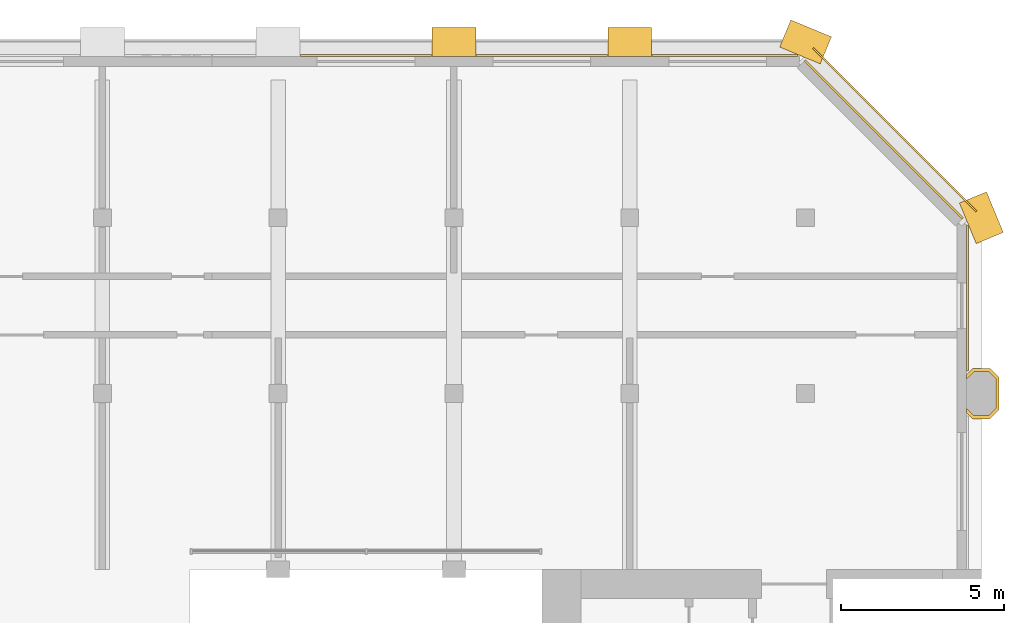
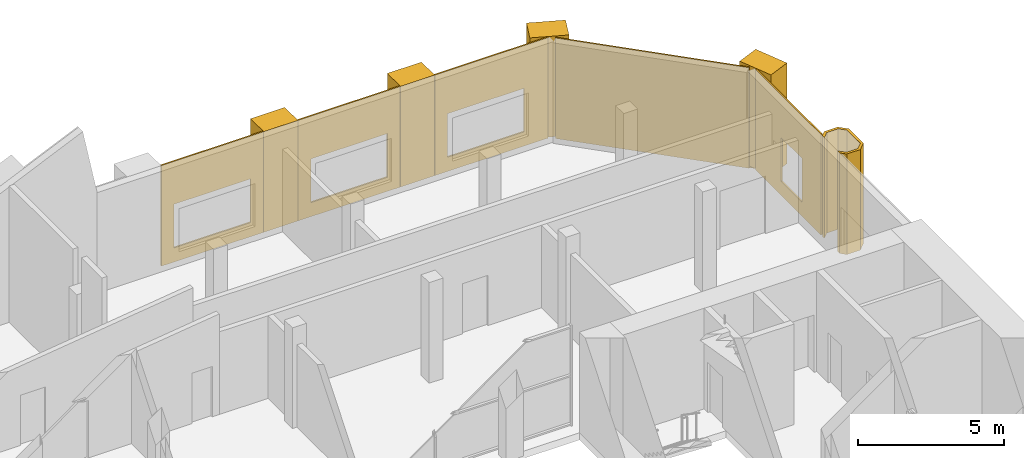
# One storey, part 9 of 9: 11 coverings.
"""IFC4 building model written with IfcOpenShell, lengths in metres."""

from ifc_helpers import new_model, si_unit, direction, frame, frame_2d, origin, place, context, subcontext, project, spatial, polyline, rectangle, outline, extrude, material, layer, layer_set, type_object, element, save


model = new_model("IFC4")

# Units and contexts
model_context = context("Model", 3, precision=1e-05, world=origin(), true_north=direction((0.0, 1.0)))
body_context = subcontext(model_context, "Body", "Model", "MODEL_VIEW")
ifc_project = project(units=[si_unit("LENGTHUNIT", "METRE"), si_unit("AREAUNIT", "SQUARE_METRE"), si_unit("VOLUMEUNIT", "CUBIC_METRE"), si_unit("PLANEANGLEUNIT", "RADIAN"), si_unit("MASSUNIT", "GRAM", prefix="KILO")], contexts=[model_context])

# Site, building, storey
site_placement = place(None, origin())
site = spatial("IfcSite", under=ifc_project, at=site_placement, CompositionType="ELEMENT")
building_placement = place(site_placement, origin())
building = spatial("IfcBuilding", under=site, at=building_placement, Name="Tabaq Tower and Sports Hall", CompositionType="ELEMENT")
storey_placement = place(building_placement, frame((0.0, 0.0, 326.199951171875)))
storey = spatial("IfcBuildingStorey", under=building, at=storey_placement, Name="L81", CompositionType="ELEMENT", Elevation=326.199951171875)

# Coverings
ifc_material_1 = material(Name="Precast concrete C60/75", Category="concrete")
ifc_layer_1 = layer(ifc_material_1, 0.10009765625)
ifc_layer_set_1 = layer_set([ifc_layer_1], Name="Column cladding 100")
covering_type_1 = type_object("IfcCoveringType", Name="Column cladding 100", PredefinedType="CLADDING", material=ifc_layer_set_1)
covering_1_placement = place(storey_placement, origin())
element("IfcCovering", 1, at=covering_1_placement, inside=storey, type_object=covering_type_1, Name="Column cladding L81 PC-9H-CR", PredefinedType="CLADDING", context=body_context, shape_type="SweptSolid", body=[
    extrude(outline(polyline([(42.93359375, 37.025390625), (42.750244140625, 37.208740234375), (42.750244140625, 37.349365234375), (42.974853515625, 37.124755859375), (43.425048828125, 37.124755859375), (43.650390625, 37.349853515625), (43.650390625, 38.250244140625), (43.425048828125, 38.475341796875), (42.974853515625, 38.475341796875), (42.750244140625, 38.250732421875), (42.750244140625, 38.391357421875), (42.93359375, 38.57470703125), (43.46630859375, 38.57470703125), (43.749755859375, 38.291259765625), (43.749755859375, 37.30859375), (43.46630859375, 37.025390625), (42.93359375, 37.025390625)])), origin(), (0.0, 0.0, 1.0), 4.199951171875),
])
ifc_material_2 = material(Name="Precast concrete C60/75", Category="concrete")
ifc_layer_2 = layer(ifc_material_2, 0.06005859375)
ifc_layer_set_2 = layer_set([ifc_layer_2], Name="Edge beam cladding 60")
covering_type_2 = type_object("IfcCoveringType", Name="Edge beam cladding 60", PredefinedType="CLADDING", material=ifc_layer_set_2)
covering_2_placement = place(storey_placement, frame((43.04443359375, 43.39794921875, -0.300048828125), z_axis=(0.0, 0.0, 1.0), x_axis=(-0.707106781187, 0.707106781187, 0.0)))
element("IfcCovering", 2, at=covering_2_placement, inside=storey, type_object=covering_type_2, Name="Edge beam cladding L81 2", PredefinedType="CLADDING", context=body_context, shape_type="SweptSolid", body=[
    extrude(rectangle(XDim=7.08837890625, YDim=0.06005859375, at=frame_2d((3.544189453125, 0.0))), origin(), (0.0, 0.0, 1.0), 0.300048828125),
])
ifc_material_3 = material(Name="White precast concrete C60/75", Category="concrete")
covering_type_3 = type_object("IfcCoveringType", Name="Pier cladding hung 1350x900", PredefinedType="CLADDING", material=ifc_material_3)
covering_3_placement = place(storey_placement, frame((27.675048828125, 48.60009765625, 0.0), z_axis=(0.0, 0.0, 1.0), x_axis=(-1.0, 0.0, 0.0)))
element("IfcCovering", 3, at=covering_3_placement, inside=storey, type_object=covering_type_3, Name="Hung pier cladding 5/9", PredefinedType="CLADDING", context=body_context, shape_type="SweptSolid", body=[
    extrude(rectangle(XDim=1.35009765625, YDim=0.89990234375, at=frame_2d((0.675048828125, 0.0))), origin(), (0.0, 0.0, 1.0), 4.199951171875),
])
covering_4_placement = place(storey_placement, frame((33.074951171875, 48.60009765625, 0.0), z_axis=(0.0, 0.0, 1.0), x_axis=(-1.0, 0.0, 0.0)))
element("IfcCovering", 4, at=covering_4_placement, inside=storey, type_object=covering_type_3, Name="Hung pier cladding 6/9", PredefinedType="CLADDING", context=body_context, shape_type="SweptSolid", body=[
    extrude(rectangle(XDim=1.349853515625, YDim=0.89990234375, at=frame_2d((0.6748046875, 0.0))), origin(), (0.0, 0.0, 1.0), 4.199951171875),
])
for number, where, z_axis, x_axis, name in (
    (5, (38.423583984375, 48.341796875, 0.0), (0.0, 0.0, 1.0), (-0.923893411637, 0.382649923473, 0.0), "Hung pier cladding 7/9"),
    (6, (43.458251953125, 42.576416015625, 0.0), (0.0, 0.0, 1.0), (-0.382649923473, 0.923893411637, 0.0), "Hung pier cladding 8/8"),
):
    element("IfcCovering", number, at=place(storey_placement, frame(where, z_axis=z_axis, x_axis=x_axis)), inside=storey, type_object=covering_type_3, Name=name, PredefinedType="CLADDING", context=body_context, shape_type="SweptSolid", body=[
        extrude(rectangle(XDim=1.35009765625, YDim=0.89990234375, at=frame_2d((0.675048828125, 0.0))), origin(), (0.0, 0.0, 1.0), 4.199951171875),
    ])
ifc_material_4 = material(Name="Precast concrete C60/75", Category="concrete")
ifc_layer_3 = layer(ifc_material_4, 0.06005859375)
ifc_layer_set_3 = layer_set([ifc_layer_3], Name="White precast cladding panel 60 C60/75")
covering_type_4 = type_object("IfcCoveringType", Name="White precast cladding panel 60 C60/75", PredefinedType="CLADDING", material=ifc_layer_set_3)
covering_5_placement = place(storey_placement, frame((42.780029296875, 38.485107421875, 0.0), z_axis=(0.0, 0.0, 1.0), x_axis=(0.0, 1.0, 0.0)))
element("IfcCovering", 7, at=covering_5_placement, inside=storey, type_object=covering_type_4, Name="White precast cladding panel L81 wall02-1 2", PredefinedType="CLADDING", context=body_context, shape_type="SweptSolid", body=[
    extrude(outline(polyline([(0.0, 0.0), (4.4716796875, 0.0), (4.471923828125, 4.199951171875), (3.93896484375, 4.199951171875), (3.349365234375, 4.199951171875), (2.759765625, 4.199951171875), (2.169921875, 4.199951171875), (1.580322265625, 4.199951171875), (0.99072265625, 4.199951171875), (0.401123046875, 4.199951171875), (0.0, 4.199951171875), (0.0, 0.0)]), holes=[polyline([(1.301513671875, 0.590087890625), (1.301513671875, 2.41015625), (2.721435546875, 2.41015625), (2.721435546875, 0.590087890625), (1.301513671875, 0.590087890625)])]), frame((0.0, 0.030029296875, 0.0), z_axis=(0.0, -1.0, 0.0), x_axis=(1.0, 0.0, 0.0)), (0.0, 0.0, 1.0), 0.06005859375),
])
covering_6_placement = place(storey_placement, frame((42.628173828125, 43.177734375, 0.0), z_axis=(0.0, 0.0, 1.0), x_axis=(-0.707088985397, 0.707124576528, 0.0)))
element("IfcCovering", 8, at=covering_6_placement, inside=storey, type_object=covering_type_4, Name="White precast cladding panel L81 wall03", PredefinedType="CLADDING", context=body_context, shape_type="SweptSolid", body=[
    extrude(outline(polyline([(0.0, 0.0), (6.859619140625, 0.0), (6.859619140625, 4.199951171875), (6.2880859375, 4.199951171875), (5.71630859375, 4.199951171875), (5.144775390625, 4.199951171875), (4.5732421875, 4.199951171875), (4.00146484375, 4.199951171875), (3.429931640625, 4.199951171875), (2.858154296875, 4.199951171875), (2.28662109375, 4.199951171875), (1.71484375, 4.199951171875), (1.143310546875, 4.199951171875), (0.571533203125, 4.199951171875), (0.0, 4.199951171875), (0.0, 0.0)])), frame((0.0, 0.030029296875, 0.0), z_axis=(0.0, -1.0, 0.0), x_axis=(1.0, 0.0, 0.0)), (0.0, 0.0, 1.0), 0.06005859375),
])
covering_7_placement = place(storey_placement, frame((37.556884765625, 48.179931640625, 0.0), z_axis=(0.0, 0.0, 1.0), x_axis=(-1.0, 0.0, 0.0)))
element("IfcCovering", 9, at=covering_7_placement, inside=storey, type_object=covering_type_4, Name="White precast cladding panel L81 wall04", PredefinedType="CLADDING", context=body_context, shape_type="SweptSolid", body=[
    extrude(outline(polyline([(0.0, 0.0), (4.471923828125, 0.0), (4.471923828125, 4.199951171875), (4.016357421875, 4.199951171875), (3.4345703125, 4.199951171875), (2.852783203125, 4.199951171875), (2.270751953125, 4.199951171875), (1.68896484375, 4.199951171875), (1.10693359375, 4.199951171875), (0.525146484375, 4.199951171875), (0.0, 4.199951171875), (0.0, 0.0)]), holes=[polyline([(0.94677734375, 0.590087890625), (0.94677734375, 2.41015625), (3.966796875, 2.41015625), (3.966796875, 0.590087890625), (0.94677734375, 0.590087890625)])]), frame((0.0, 0.030029296875, 0.0), z_axis=(0.0, -1.0, 0.0), x_axis=(1.0, 0.0, 0.0)), (0.0, 0.0, 1.0), 0.06005859375),
])
covering_8_placement = place(storey_placement, frame((31.715087890625, 48.179931640625, 0.0), z_axis=(0.0, 0.0, 1.0), x_axis=(-1.0, 0.0, 0.0)))
element("IfcCovering", 10, at=covering_8_placement, inside=storey, type_object=covering_type_4, Name="White precast cladding panel L81 wall04 2", PredefinedType="CLADDING", context=body_context, shape_type="SweptSolid", body=[
    extrude(outline(polyline([(0.0, 0.0), (4.030029296875, 0.0), (4.030029296875, 4.199951171875), (3.99365234375, 4.199951171875), (3.41162109375, 4.199951171875), (2.829833984375, 4.199951171875), (2.247802734375, 4.199951171875), (1.666015625, 4.199951171875), (1.083984375, 4.199951171875), (0.502197265625, 4.199951171875), (0.0, 4.199951171875), (0.0, 0.0)]), holes=[polyline([(0.5048828125, 0.590087890625), (0.5048828125, 2.41015625), (3.52490234375, 2.41015625), (3.52490234375, 0.590087890625), (0.5048828125, 0.590087890625)])]), frame((0.0, 0.030029296875, 0.0), z_axis=(0.0, -1.0, 0.0), x_axis=(1.0, 0.0, 0.0)), (0.0, 0.0, 1.0), 0.06005859375),
])
covering_9_placement = place(storey_placement, frame((26.31494140625, 48.179931640625, 0.0), z_axis=(0.0, 0.0, 1.0), x_axis=(-1.0, 0.0, 0.0)))
element("IfcCovering", 11, at=covering_9_placement, inside=storey, type_object=covering_type_4, Name="White precast cladding panel L81 wall04 3", PredefinedType="CLADDING", context=body_context, shape_type="SweptSolid", body=[
    extrude(outline(polyline([(0.0, 0.0), (4.030029296875, 0.0), (4.030029296875, 4.199951171875), (3.83056640625, 4.199951171875), (3.248779296875, 4.199951171875), (2.666748046875, 4.199951171875), (2.0849609375, 4.199951171875), (1.5029296875, 4.199951171875), (0.921142578125, 4.199951171875), (0.339111328125, 4.199951171875), (0.0, 4.199951171875), (0.0, 0.0)]), holes=[polyline([(0.5048828125, 0.590087890625), (0.5048828125, 2.41015625), (3.52490234375, 2.41015625), (3.52490234375, 0.590087890625), (0.5048828125, 0.590087890625)])]), frame((0.0, 0.030029296875, 0.0), z_axis=(0.0, -1.0, 0.0), x_axis=(1.0, 0.0, 0.0)), (0.0, 0.0, 1.0), 0.06005859375),
])

save(model, "model.ifc")
